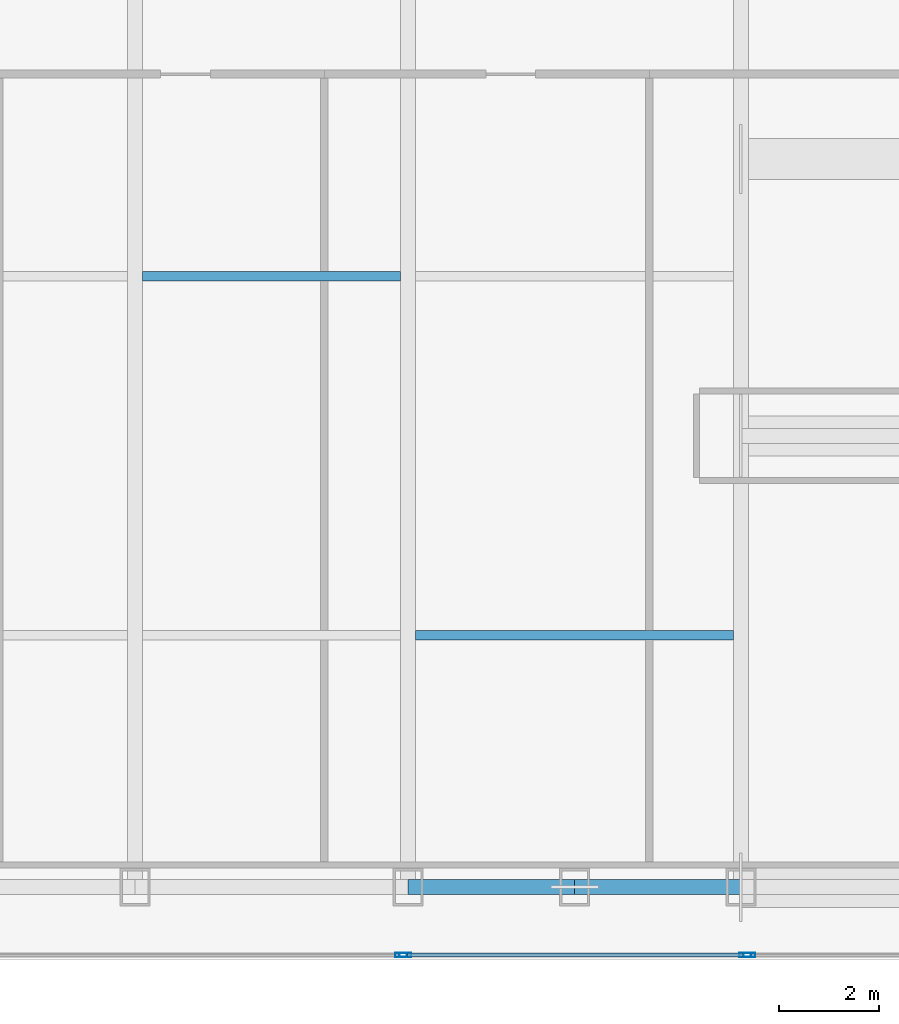
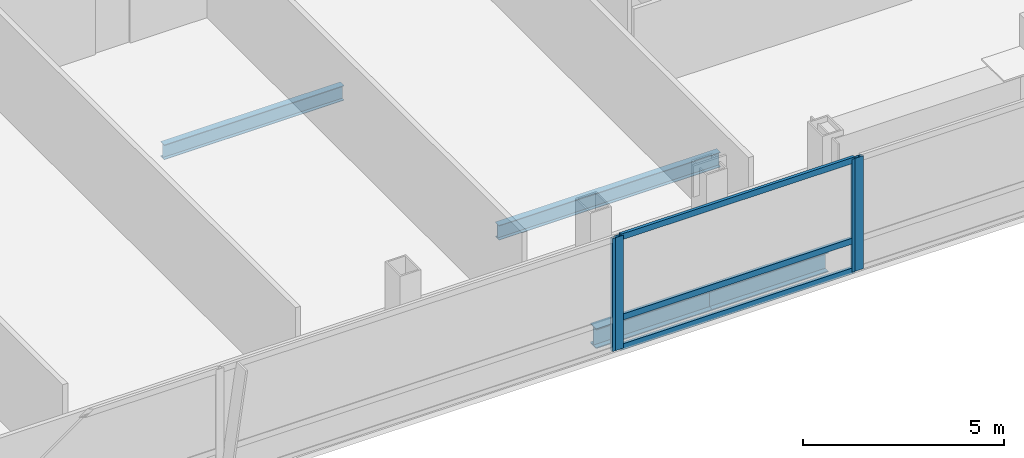
# One storey, part 11 of 26: 7 members, 4 beams, 3 elements without a shape of their own.
"""IFC4 building model written with IfcOpenShell, lengths in metres."""

from ifc_helpers import new_model, si_unit, direction, frame, origin, origin_2d, place, context, subcontext, project, spatial, hollow_rectangle, i_section, extrude, material, material_profile, profile_set, type_object, element, aggregate, save


model = new_model("IFC4")

# Units and contexts
model_context = context("Model", 3, precision=1e-05, world=origin(), true_north=direction((0.0, 1.0)))
body_context = subcontext(model_context, "Body", "Model", "MODEL_VIEW")
ifc_project = project(units=[si_unit("LENGTHUNIT", "METRE"), si_unit("AREAUNIT", "SQUARE_METRE"), si_unit("VOLUMEUNIT", "CUBIC_METRE"), si_unit("PLANEANGLEUNIT", "RADIAN"), si_unit("MASSUNIT", "GRAM", prefix="KILO")], contexts=[model_context])

# Site, building, storey
site_placement = place(None, origin())
site = spatial("IfcSite", under=ifc_project, at=site_placement, CompositionType="ELEMENT")
building_placement = place(site_placement, origin())
building = spatial("IfcBuilding", under=site, at=building_placement, Name="Khoronbel Lancet Exchange", CompositionType="ELEMENT")
storey_placement = place(building_placement, frame((0.0, 0.0, 235.39990234375)))
storey = spatial("IfcBuildingStorey", under=building, at=storey_placement, Name="L60", CompositionType="ELEMENT", Elevation=235.39990234375)

# Beams
ifc_material_1 = material(Name="Steel S355", Category="steel")
ifc_material_profile_1 = material_profile(ifc_material_1, i_section(OverallWidth=0.18994140625, OverallDepth=0.449951171875, WebThickness=0.009521484375, FlangeThickness=0.0146484375, at=origin_2d()), Name="IPE 450")
ifc_profile_set_1 = profile_set([ifc_material_profile_1], Name="Steel S355")
beam_type_1 = type_object("IfcBeamType", Name="BM-BJ4", PredefinedType="JOIST", material=ifc_profile_set_1)
beam_1_placement = place(storey_placement, frame((48.14990234375, 15.199951171875, -0.385009765625), z_axis=(1.0, 0.0, 0.0), x_axis=(0.0, 1.0, 0.0)))
element("IfcBeam", 1, at=beam_1_placement, inside=storey, type_object=beam_type_1, Name="Level L60 secondary composite joist J05", PredefinedType="JOIST", context=body_context, shape_type="SweptSolid", body=[
    extrude(i_section(OverallWidth=0.18994140625, OverallDepth=0.449951171875, WebThickness=0.009521484375, FlangeThickness=0.0146484375, at=origin_2d()), origin(), (0.0, 0.0, 1.0), 6.375),
])
beam_2_placement = place(storey_placement, frame((42.675048828125, 22.39990234375, -0.385009765625), z_axis=(1.0, 0.0, 0.0), x_axis=(0.0, 1.0, 0.0)))
element("IfcBeam", 2, at=beam_2_placement, inside=storey, type_object=beam_type_1, Name="Level L60 secondary composite joist J09", PredefinedType="JOIST", context=body_context, shape_type="SweptSolid", body=[
    extrude(i_section(OverallWidth=0.18994140625, OverallDepth=0.449951171875, WebThickness=0.009521484375, FlangeThickness=0.0146484375, at=origin_2d()), origin(), (0.0, 0.0, 1.0), 5.175048828125),
])
ifc_material_profile_2 = material_profile(ifc_material_1, i_section(OverallWidth=0.300048828125, OverallDepth=0.60009765625, WebThickness=0.015380859375, FlangeThickness=0.030029296875, at=origin_2d()), Name="HEB 600")
ifc_profile_set_2 = profile_set([ifc_material_profile_2], Name="Steel S355")
beam_type_2 = type_object("IfcBeamType", Name="BM-BSP2", PredefinedType="SPANDREL", material=ifc_profile_set_2)
beam_3_placement = place(storey_placement, frame((48.0, 10.14990234375, -0.4599609375), z_axis=(1.0, 0.0, 0.0), x_axis=(0.0, 1.0, 0.0)))
element("IfcBeam", 3, at=beam_3_placement, inside=storey, type_object=beam_type_2, Name="Level L60 perimeter spandrel beam SP07", PredefinedType="SPANDREL", context=body_context, shape_type="SweptSolid", body=[
    extrude(i_section(OverallWidth=0.300048828125, OverallDepth=0.60009765625, WebThickness=0.015380859375, FlangeThickness=0.030029296875, at=origin_2d()), origin(), (0.0, 0.0, 1.0), 3.33740234375),
])
beam_4_placement = place(storey_placement, frame((51.33740234375, 10.14990234375, -0.4599609375), z_axis=(1.0, 0.0, 0.0), x_axis=(0.0, 1.0, 0.0)))
element("IfcBeam", 4, at=beam_4_placement, inside=storey, type_object=beam_type_2, Name="Level L60 perimeter spandrel beam SP08", PredefinedType="SPANDREL", context=body_context, shape_type="SweptSolid", body=[
    extrude(i_section(OverallWidth=0.300048828125, OverallDepth=0.60009765625, WebThickness=0.015380859375, FlangeThickness=0.030029296875, at=origin_2d()), origin(), (0.0, 0.0, 1.0), 3.337646484375),
])

# Curtain wall, member
ifc_material_2 = material(Name="Low-E Solar Control Insulating Glass", Category="glass")
curtain_wall_type = type_object("IfcCurtainWallType", Name="CW-3", PredefinedType="NOTDEFINED", material=ifc_material_2)
curtain_wall_1_placement = place(storey_placement, origin())
curtain_wall_1 = element("IfcCurtainWall", 5, at=curtain_wall_1_placement, inside=storey, type_object=curtain_wall_type, Name="Unitised curtain wall CW-L60-SCV", PredefinedType="NOTDEFINED")
ifc_material_3 = material(Name="Bronze-Anodised Aluminium 6063-T6", Category="aluminium")
ifc_material_profile_3 = material_profile(ifc_material_3, hollow_rectangle(XDim=0.0849609375, YDim=0.239990234375, WallThickness=0.006103515625, at=origin_2d()), Name="ALU MULLION 85x240")
ifc_profile_set_3 = profile_set([ifc_material_profile_3], Name="Bronze-Anodised Aluminium 6063-T6")
member_type_1 = type_object("IfcMemberType", Name="MEM-CWM1", PredefinedType="MULLION", material=ifc_profile_set_3)
member_1_placement = place(storey_placement, frame((47.857421875, 8.7900390625, 0.0), z_axis=(0.0, 0.0, 1.0), x_axis=(0.0, 1.0, 0.0)))
member_1 = element("IfcMember", 6, at=member_1_placement, type_object=member_type_1, Name="CW3 mullion 3", PredefinedType="MULLION", context=body_context, shape_type="SweptSolid", body=[
    extrude(hollow_rectangle(XDim=0.0849609375, YDim=0.239990234375, WallThickness=0.006103515625, at=origin_2d()), origin(), (0.0, 0.0, 1.0), 3.440185546875),
])
aggregate(curtain_wall_1, [member_1])

# Curtain wall, members
curtain_wall_2_placement = place(storey_placement, origin())
curtain_wall_2 = element("IfcCurtainWall", 7, at=curtain_wall_2_placement, inside=storey, type_object=curtain_wall_type, Name="Unitised curtain wall CW-L60-SEB", PredefinedType="NOTDEFINED")
member_2_placement = place(storey_placement, frame((47.9423828125, 8.7900390625, 0.0), z_axis=(0.0, 0.0, 1.0), x_axis=(0.0, 1.0, 0.0)))
member_2 = element("IfcMember", 8, at=member_2_placement, type_object=member_type_1, Name="CW3 mullion 1", PredefinedType="MULLION", context=body_context, shape_type="SweptSolid", body=[
    extrude(hollow_rectangle(XDim=0.0849609375, YDim=0.239990234375, WallThickness=0.006103515625, at=origin_2d()), origin(), (0.0, 0.0, 1.0), 3.440185546875),
])
member_3_placement = place(storey_placement, frame((54.757568359375, 8.7900390625, 0.0), z_axis=(0.0, 0.0, 1.0), x_axis=(0.0, 1.0, 0.0)))
member_3 = element("IfcMember", 9, at=member_3_placement, type_object=member_type_1, Name="CW3 mullion 2", PredefinedType="MULLION", context=body_context, shape_type="SweptSolid", body=[
    extrude(hollow_rectangle(XDim=0.0849609375, YDim=0.239990234375, WallThickness=0.006103515625, at=origin_2d()), origin(), (0.0, 0.0, 1.0), 3.440185546875),
])

# Curtain wall, member
curtain_wall_3_placement = place(storey_placement, origin())
curtain_wall_3 = element("IfcCurtainWall", 10, at=curtain_wall_3_placement, inside=storey, type_object=curtain_wall_type, Name="Unitised curtain wall CW-L60-SEV", PredefinedType="NOTDEFINED")
member_4_placement = place(storey_placement, frame((54.842529296875, 8.7900390625, 0.0), z_axis=(0.0, 0.0, 1.0), x_axis=(0.0, 1.0, 0.0)))
member_4 = element("IfcMember", 11, at=member_4_placement, type_object=member_type_1, Name="CW3 mullion 1", PredefinedType="MULLION", context=body_context, shape_type="SweptSolid", body=[
    extrude(hollow_rectangle(XDim=0.0849609375, YDim=0.239990234375, WallThickness=0.006103515625, at=origin_2d()), origin(), (0.0, 0.0, 1.0), 3.440185546875),
])
aggregate(curtain_wall_3, [member_4])

# Member
ifc_material_profile_4 = material_profile(ifc_material_3, hollow_rectangle(XDim=0.0849609375, YDim=0.179931640625, WallThickness=0.0048828125, at=origin_2d()), Name="ALU TRANSOM 85x180")
ifc_profile_set_4 = profile_set([ifc_material_profile_4], Name="Bronze-Anodised Aluminium 6063-T6")
member_type_2 = type_object("IfcMemberType", Name="MEM-CWT1", PredefinedType="USERDEFINED", material=ifc_profile_set_4)
member_5_placement = place(storey_placement, frame((47.985107421875, 8.7900390625, 0.04248046875), z_axis=(1.0, 0.0, 0.0), x_axis=(0.0, 1.0, 0.0)))
member_5 = element("IfcMember", 12, at=member_5_placement, type_object=member_type_2, Name="CW3 transom 1.1", ObjectType="TRANSOM", PredefinedType="USERDEFINED", context=body_context, shape_type="SweptSolid", body=[
    extrude(hollow_rectangle(XDim=0.0849609375, YDim=0.179931640625, WallThickness=0.0048828125, at=origin_2d()), origin(), (0.0, 0.0, 1.0), 6.72998046875),
])

member_6_placement = place(storey_placement, frame((47.985107421875, 8.7900390625, 0.9501953125), z_axis=(1.0, 0.0, 0.0), x_axis=(0.0, 1.0, 0.0)))
member_6 = element("IfcMember", 13, at=member_6_placement, type_object=member_type_2, Name="CW3 transom 1.2", ObjectType="TRANSOM", PredefinedType="USERDEFINED", context=body_context, shape_type="SweptSolid", body=[
    extrude(hollow_rectangle(XDim=0.0849609375, YDim=0.179931640625, WallThickness=0.0048828125, at=origin_2d()), origin(), (0.0, 0.0, 1.0), 6.72998046875),
])

member_7_placement = place(storey_placement, frame((47.985107421875, 8.7900390625, 3.397705078125), z_axis=(1.0, 0.0, 0.0), x_axis=(0.0, 1.0, 0.0)))
member_7 = element("IfcMember", 14, at=member_7_placement, type_object=member_type_2, Name="CW3 transom 1.3", ObjectType="TRANSOM", PredefinedType="USERDEFINED", context=body_context, shape_type="SweptSolid", body=[
    extrude(hollow_rectangle(XDim=0.0849609375, YDim=0.179931640625, WallThickness=0.0048828125, at=origin_2d()), origin(), (0.0, 0.0, 1.0), 6.72998046875),
])

aggregate(curtain_wall_2, [member_2, member_3, member_5, member_6, member_7])

save(model, "model.ifc")
